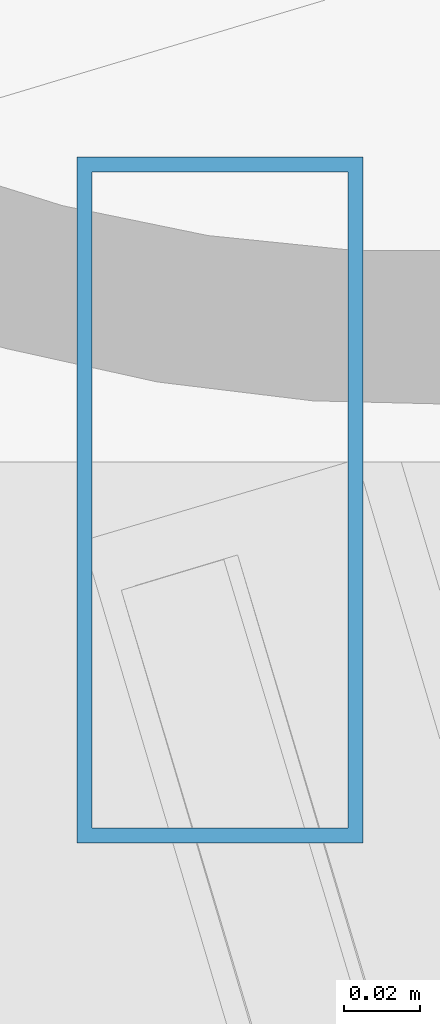
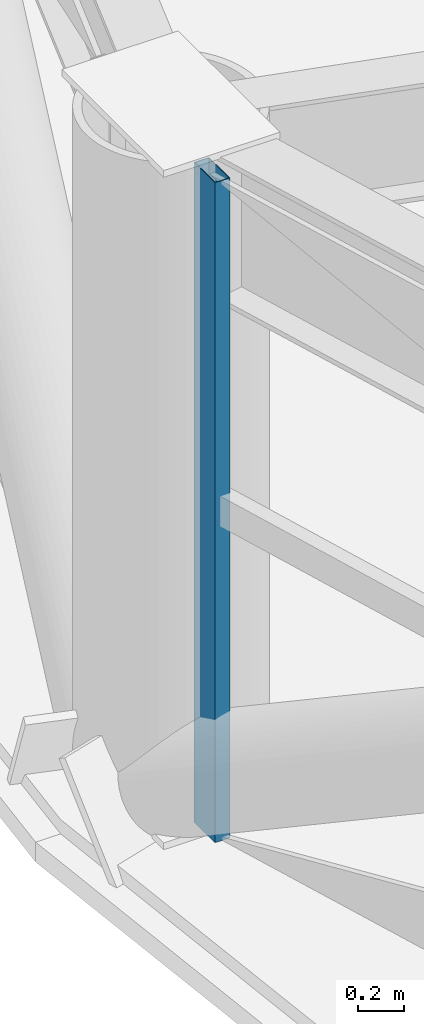
# One storey, part 6 of 31: 1 member, 1 element without a shape of its own.
"""IFC4 building model written with IfcOpenShell, lengths in metres."""

from ifc_helpers import new_model, si_unit, direction, frame, origin, origin_2d, place, context, subcontext, project, spatial, hollow_rectangle, extrude, material, layer, layer_set, material_profile, profile_set, type_object, element, aggregate, save


model = new_model("IFC4")

# Units and contexts
model_context = context("Model", 3, precision=1e-05, world=origin(), true_north=direction((0.0, 1.0)))
body_context = subcontext(model_context, "Body", "Model", "MODEL_VIEW")
ifc_project = project(units=[si_unit("LENGTHUNIT", "METRE"), si_unit("AREAUNIT", "SQUARE_METRE"), si_unit("VOLUMEUNIT", "CUBIC_METRE"), si_unit("PLANEANGLEUNIT", "RADIAN"), si_unit("MASSUNIT", "GRAM", prefix="KILO")], contexts=[model_context])

# Site, building, storey
site_placement = place(None, origin())
site = spatial("IfcSite", under=ifc_project, at=site_placement, CompositionType="ELEMENT")
building_placement = place(site_placement, origin())
building = spatial("IfcBuilding", under=site, at=building_placement, Name="Vantalir Tower", CompositionType="ELEMENT")
storey_placement = place(building_placement, frame((0.0, 0.0, 42.0)))
storey = spatial("IfcBuildingStorey", under=building, at=storey_placement, Name="L09", CompositionType="ELEMENT", Elevation=42.0)

# Curtain wall, member
ifc_material_1 = material(Name="Champagne-silver PVDF aluminium and double-silver Low-E glass", Category="aluminium")
ifc_layer = layer(ifc_material_1, 0.18994140625)
ifc_layer_set = layer_set([ifc_layer], Name="Champagne-silver PVDF aluminium and double-silver Low-E glass")
curtain_wall_type = type_object("IfcCurtainWallType", Name="CW-DIAMOND-Z1", PredefinedType="USERDEFINED", material=ifc_layer_set)
curtain_wall_placement = place(storey_placement, origin())
curtain_wall = element("IfcCurtainWall", 1, at=curtain_wall_placement, inside=storey, type_object=curtain_wall_type, Name="L09 Quilted Pyramid-Diamond Curtain Wall S07", ObjectType="UNITISED CURTAIN WALL", PredefinedType="USERDEFINED")
ifc_material_2 = material(Name="Champagne-silver PVDF aluminium 6063-T6", Category="aluminium")
ifc_material_profile = material_profile(ifc_material_2, hollow_rectangle(XDim=0.074951171875, YDim=0.179931640625, WallThickness=0.00390625, at=origin_2d()), Name="Champagne-silver PVDF aluminium 6063-T6")
ifc_profile_set = profile_set([ifc_material_profile], Name="Champagne-silver PVDF aluminium 6063-T6")
member_type = type_object("IfcMemberType", Name="CWM-180x75", PredefinedType="MULLION", material=ifc_profile_set)
member_placement = place(storey_placement, frame((4.805908203125, 24.550048828125, 0.044921875), z_axis=(0.0, 0.0, 1.0), x_axis=(1.0, 0.0, 0.0)))
member = element("IfcMember", 2, at=member_placement, type_object=member_type, Name="CW-L09-S07 Mullion 1", PredefinedType="MULLION", context=body_context, shape_type="SweptSolid", body=[
    extrude(hollow_rectangle(XDim=0.074951171875, YDim=0.179931640625, WallThickness=0.00390625, at=origin_2d()), origin(), (0.0, 0.0, 1.0), 3.47998046875),
])
aggregate(curtain_wall, [member])

save(model, "model.ifc")
